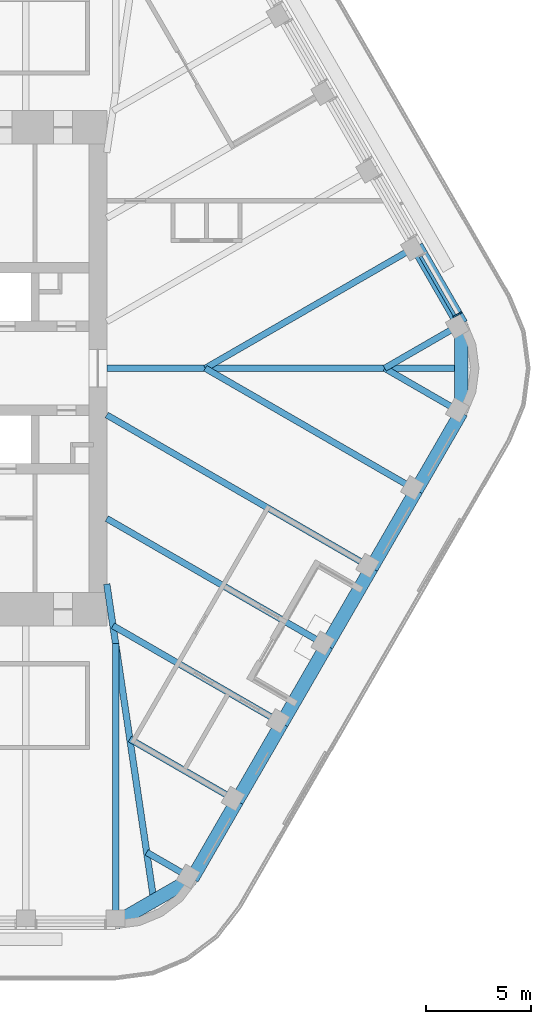
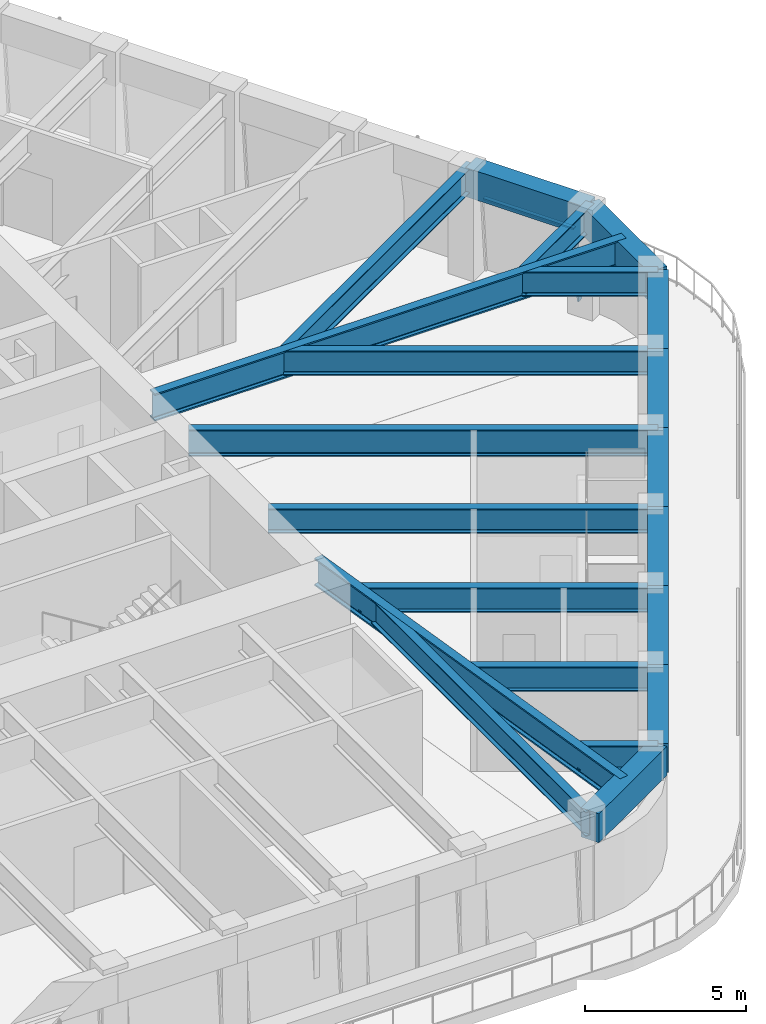
# One storey, part 5 of 19: 21 beams, 2 members, 1 element without a shape of its own.
"""IFC4 building model written with IfcOpenShell, lengths in metres."""

from ifc_helpers import new_model, si_unit, direction, frame, origin, origin_2d, place, context, subcontext, project, spatial, rectangle, i_section, extrude, material, material_profile, profile_set, type_object, element, aggregate, save


model = new_model("IFC4")

# Units and contexts
model_context = context("Model", 3, precision=1e-05, world=origin(), true_north=direction((0.0, 1.0)))
body_context = subcontext(model_context, "Body", "Model", "MODEL_VIEW")
ifc_project = project(units=[si_unit("LENGTHUNIT", "METRE"), si_unit("AREAUNIT", "SQUARE_METRE"), si_unit("VOLUMEUNIT", "CUBIC_METRE"), si_unit("PLANEANGLEUNIT", "RADIAN"), si_unit("MASSUNIT", "GRAM", prefix="KILO")], contexts=[model_context])

# Site, building, storey
site_placement = place(None, origin())
site = spatial("IfcSite", under=ifc_project, at=site_placement, CompositionType="ELEMENT")
building_placement = place(site_placement, origin())
building = spatial("IfcBuilding", under=site, at=building_placement, Name="Tarfa Lantern Tower", CompositionType="ELEMENT")
storey_placement = place(building_placement, frame((0.0, 0.0, 357.699951171875)))
storey = spatial("IfcBuildingStorey", under=building, at=storey_placement, Name="L81", CompositionType="ELEMENT", Elevation=357.699951171875)

# Curtain wall, members
ifc_material_1 = material(Name="Aluminium framed curtain wall", Category="aluminium")
curtain_wall_type = type_object("IfcCurtainWallType", Name="CW4 CANTED GLAZING EXECUTIVE ZONE 2900", PredefinedType="USERDEFINED", material=ifc_material_1)
curtain_wall_placement = place(storey_placement, origin())
curtain_wall = element("IfcCurtainWall", 1, at=curtain_wall_placement, inside=storey, type_object=curtain_wall_type, Name="CW4 NE L81", ObjectType="CURTAIN WALL", PredefinedType="USERDEFINED")
ifc_material_2 = material(Name="Aluminium mullion", Category="aluminium")
ifc_material_profile_1 = material_profile(ifc_material_2, rectangle(XDim=0.06494140625, YDim=0.199951171875, at=origin_2d()), Name="AL MULLION 65x200")
ifc_profile_set_1 = profile_set([ifc_material_profile_1], Name="Aluminium mullion")
member_type_1 = type_object("IfcMemberType", Name="CWM1 MULLION 65x200", PredefinedType="MULLION", material=ifc_profile_set_1)
member_1_placement = place(storey_placement, frame((29.26123046875, 2.617919921875, 0.0), z_axis=(-0.074310195522, -0.042942234884, 0.996310172238), x_axis=(0.500342721131, -0.865827443207, 0.0)))
member_1 = element("IfcMember", 2, at=member_1_placement, type_object=member_type_1, Name="CW4 mullion 1", PredefinedType="MULLION", context=body_context, shape_type="SweptSolid", body=[
    extrude(rectangle(XDim=0.06494140625, YDim=0.199951171875, at=origin_2d()), origin(), (0.0, 0.0, 1.0), 2.910888671875),
])
ifc_material_3 = material(Name="Aluminium transom", Category="aluminium")
ifc_material_profile_2 = material_profile(ifc_material_3, rectangle(XDim=0.14990234375, YDim=0.06494140625, at=origin_2d()), Name="AL TRANSOM 150x65")
ifc_profile_set_2 = profile_set([ifc_material_profile_2], Name="Aluminium transom")
member_type_2 = type_object("IfcMemberType", Name="CWT1 TRANSOM 150x65", PredefinedType="USERDEFINED", material=ifc_profile_set_2)
member_2_placement = place(storey_placement, frame((29.031005859375, 2.5224609375, 2.867431640625), z_axis=(-0.500014901547, 0.866016800201, 0.0), x_axis=(-0.866016800201, -0.500014901547, 0.0)))
member_2 = element("IfcMember", 3, at=member_2_placement, type_object=member_type_2, Name="CW4 transom 1.2", ObjectType="TRANSOM", PredefinedType="USERDEFINED", context=body_context, shape_type="SweptSolid", body=[
    extrude(rectangle(XDim=0.14990234375, YDim=0.06494140625, at=origin_2d()), origin(), (0.0, 0.0, 1.0), 3.251953125),
])
aggregate(curtain_wall, [member_1, member_2])

# Beams
ifc_material_4 = material(Name="Concrete C80/95", Category="concrete")
ifc_material_profile_3 = material_profile(ifc_material_4, rectangle(XDim=0.64990234375, YDim=1.10009765625, at=origin_2d()), Name="RC 650x1100")
ifc_profile_set_3 = profile_set([ifc_material_profile_3], Name="Concrete C80/95")
beam_type_1 = type_object("IfcBeamType", Name="EB4 RC 650x1100", PredefinedType="SPANDREL", material=ifc_profile_set_3)
beam_1_placement = place(storey_placement, frame((29.3466796875, 2.110107421875, 3.449951171875), z_axis=(-0.499984039138, 0.866034618596, 0.0), x_axis=(-0.866034618596, -0.499984039138, 0.0)))
element("IfcBeam", 4, at=beam_1_placement, inside=storey, type_object=beam_type_1, Name="Edge beam NE0", PredefinedType="SPANDREL", context=body_context, shape_type="SweptSolid", body=[
    extrude(rectangle(XDim=0.64990234375, YDim=1.10009765625, at=origin_2d()), origin(), (0.0, 0.0, 1.0), 4.281982421875),
])
beam_2_placement = place(storey_placement, frame((12.845947265625, -26.469970703125, 3.449951171875), z_axis=(0.866048788483, 0.499959494327, 0.0), x_axis=(-0.499959494327, 0.866048788483, 0.0)))
element("IfcBeam", 5, at=beam_2_placement, inside=storey, type_object=beam_type_1, Name="Edge beam S6", PredefinedType="SPANDREL", context=body_context, shape_type="SweptSolid", body=[
    extrude(rectangle(XDim=0.64990234375, YDim=1.10009765625, at=origin_2d()), origin(), (0.0, 0.0, 1.0), 4.219970703125),
])
for number, where, z_axis, x_axis, name in (
    (6, (16.500732421875, -24.360107421875, 3.449951171875), (0.499959351497, 0.866048870937, 0.0), (-0.866048870937, 0.499959351497, 0.0), "Edge beam SE0"),
    (7, (18.6416015625, -20.651611328125, 3.449951171875), (0.500026801138, 0.866009929587, 0.0), (-0.866009929587, 0.500026801138, 0.0), "Edge beam SE1"),
    (8, (20.78271484375, -16.943359375, 3.449951171875), (0.499984039138, 0.866034618596, 0.0), (-0.866034618596, 0.499984039138, 0.0), "Edge beam SE2"),
):
    element("IfcBeam", number, at=place(storey_placement, frame(where, z_axis=z_axis, x_axis=x_axis)), inside=storey, type_object=beam_type_1, Name=name, PredefinedType="SPANDREL", context=body_context, shape_type="SweptSolid", body=[
        extrude(rectangle(XDim=0.64990234375, YDim=1.10009765625, at=origin_2d()), origin(), (0.0, 0.0, 1.0), 4.281982421875),
    ])
beam_3_placement = place(storey_placement, frame((22.923583984375, -13.235107421875, 3.449951171875), z_axis=(0.500002112793, 0.866024183959, 0.0), x_axis=(-0.866024183959, 0.500002112793, 0.0)))
element("IfcBeam", 9, at=beam_3_placement, inside=storey, type_object=beam_type_1, Name="Edge beam SE3", PredefinedType="SPANDREL", context=body_context, shape_type="SweptSolid", body=[
    extrude(rectangle(XDim=0.64990234375, YDim=1.10009765625, at=origin_2d()), origin(), (0.0, 0.0, 1.0), 4.2822265625),
])
for number, where, z_axis, x_axis, name in (
    (10, (25.064697265625, -9.526611328125, 3.449951171875), (0.500026801138, 0.866009929587, 0.0), (-0.866009929587, 0.500026801138, 0.0), "Edge beam SE4"),
    (11, (27.205810546875, -5.818359375, 3.449951171875), (0.499984039138, 0.866034618596, 0.0), (-0.866034618596, 0.499984039138, 0.0), "Edge beam SE5"),
):
    element("IfcBeam", number, at=place(storey_placement, frame(where, z_axis=z_axis, x_axis=x_axis)), inside=storey, type_object=beam_type_1, Name=name, PredefinedType="SPANDREL", context=body_context, shape_type="SweptSolid", body=[
        extrude(rectangle(XDim=0.64990234375, YDim=1.10009765625, at=origin_2d()), origin(), (0.0, 0.0, 1.0), 4.281982421875),
    ])
beam_4_placement = place(storey_placement, frame((29.3466796875, -2.110107421875, 3.449951171875), z_axis=(0.0, 1.0, 0.0), x_axis=(-1.0, 0.0, 0.0)))
element("IfcBeam", 12, at=beam_4_placement, inside=storey, type_object=beam_type_1, Name="Edge beam SE6", PredefinedType="SPANDREL", context=body_context, shape_type="SweptSolid", body=[
    extrude(rectangle(XDim=0.64990234375, YDim=1.10009765625, at=origin_2d()), origin(), (0.0, 0.0, 1.0), 4.22021484375),
])
ifc_material_5 = material(Name="Steel S460M", Category="steel")
ifc_material_profile_4 = material_profile(ifc_material_5, i_section(OverallWidth=0.302001953125, OverallDepth=1.008056640625, WebThickness=0.02099609375, FlangeThickness=0.0400390625, FilletRadius=0.030029296875, at=origin_2d()), Name="UB1016x305x349")
ifc_profile_set_4 = profile_set([ifc_material_profile_4], Name="Steel S460M")
beam_type_2 = type_object("IfcBeamType", Name="UB1016x305x349", PredefinedType="BEAM", material=ifc_profile_set_4)
beam_5_placement = place(storey_placement, frame((25.064697265625, -9.526611328125, 3.49609375), z_axis=(-0.866029591389, 0.499992746786, 0.0), x_axis=(-0.499992746786, -0.866029591389, 0.0)))
element("IfcBeam", 13, at=beam_5_placement, inside=storey, type_object=beam_type_2, Name="Floor beam SE4", PredefinedType="BEAM", context=body_context, shape_type="SweptSolid", body=[
    extrude(i_section(OverallWidth=0.302001953125, OverallDepth=1.008056640625, WebThickness=0.02099609375, FlangeThickness=0.0400390625, FilletRadius=0.030029296875, at=origin_2d()), origin(), (0.0, 0.0, 1.0), 14.594970703125),
])
ifc_material_profile_5 = material_profile(ifc_material_5, i_section(OverallWidth=0.30859375, OverallDepth=1.036376953125, WebThickness=0.030029296875, FlangeThickness=0.05419921875, FilletRadius=0.030029296875, at=origin_2d()), Name="UB1016x305x487")
ifc_profile_set_5 = profile_set([ifc_material_profile_5], Name="Steel S460M")
beam_type_3 = type_object("IfcBeamType", Name="UB1016x305x487", PredefinedType="BEAM", material=ifc_profile_set_5)
beam_6_placement = place(storey_placement, frame((12.425048828125, 0.0, 3.48193359375), z_axis=(1.0, 0.0, 0.0), x_axis=(0.0, 1.0, 0.0)))
element("IfcBeam", 14, at=beam_6_placement, inside=storey, type_object=beam_type_3, Name="Hip girder E", PredefinedType="BEAM", context=body_context, shape_type="SweptSolid", body=[
    extrude(i_section(OverallWidth=0.30859375, OverallDepth=1.036376953125, WebThickness=0.030029296875, FlangeThickness=0.05419921875, FilletRadius=0.030029296875, at=origin_2d()), origin(), (0.0, 0.0, 1.0), 16.921630859375),
])
beam_7_placement = place(storey_placement, frame((12.425048828125, -10.300048828125, 3.48193359375), z_axis=(0.147127069073, -0.989117599452, 0.0), x_axis=(0.989117599452, 0.147127069073, 0.0)))
element("IfcBeam", 15, at=beam_7_placement, inside=storey, type_object=beam_type_3, Name="Hip girder SE", PredefinedType="BEAM", context=body_context, shape_type="SweptSolid", body=[
    extrude(i_section(OverallWidth=0.30859375, OverallDepth=1.036376953125, WebThickness=0.030029296875, FlangeThickness=0.05419921875, FilletRadius=0.030029296875, at=origin_2d()), origin(), (0.0, 0.0, 1.0), 15.28125),
])
ifc_material_profile_6 = material_profile(ifc_material_5, i_section(OverallWidth=0.305419921875, OverallDepth=0.91845703125, WebThickness=0.017333984375, FlangeThickness=0.02783203125, FilletRadius=0.01904296875, at=origin_2d()), Name="UB914x305x253")
ifc_profile_set_6 = profile_set([ifc_material_profile_6], Name="Steel S460M")
beam_type_4 = type_object("IfcBeamType", Name="UB914x305x253", PredefinedType="BEAM", material=ifc_profile_set_6)
beam_8_placement = place(storey_placement, frame((29.3466796875, 2.110107421875, 3.540771484375), z_axis=(-0.866009274789, -0.500027935199, 0.0), x_axis=(0.500027935199, -0.866009274789, 0.0)))
element("IfcBeam", 16, at=beam_8_placement, inside=storey, type_object=beam_type_4, Name="Floor beam NE0", PredefinedType="BEAM", context=body_context, shape_type="SweptSolid", body=[
    extrude(i_section(OverallWidth=0.305419921875, OverallDepth=0.91845703125, WebThickness=0.017333984375, FlangeThickness=0.02783203125, FilletRadius=0.01904296875, at=origin_2d()), origin(), (0.0, 0.0, 1.0), 4.219970703125),
])
beam_9_placement = place(storey_placement, frame((27.205810546875, 5.818359375, 3.540771484375), z_axis=(-0.866024171998, -0.500002133511, 0.0), x_axis=(0.500002133511, -0.866024171998, 0.0)))
element("IfcBeam", 17, at=beam_9_placement, inside=storey, type_object=beam_type_4, Name="Floor beam NE1", PredefinedType="BEAM", context=body_context, shape_type="SweptSolid", body=[
    extrude(i_section(OverallWidth=0.305419921875, OverallDepth=0.91845703125, WebThickness=0.017333984375, FlangeThickness=0.02783203125, FilletRadius=0.01904296875, at=origin_2d()), origin(), (0.0, 0.0, 1.0), 11.63671875),
])
beam_10_placement = place(storey_placement, frame((12.845947265625, -26.469970703125, 3.540771484375), z_axis=(0.0, 1.0, 0.0), x_axis=(-1.0, 0.0, 0.0)))
element("IfcBeam", 18, at=beam_10_placement, inside=storey, type_object=beam_type_4, Name="Floor beam S6", PredefinedType="BEAM", context=body_context, shape_type="SweptSolid", body=[
    extrude(i_section(OverallWidth=0.305419921875, OverallDepth=0.91845703125, WebThickness=0.017333984375, FlangeThickness=0.02783203125, FilletRadius=0.01904296875, at=origin_2d()), origin(), (0.0, 0.0, 1.0), 13.33935546875),
])
beam_11_placement = place(storey_placement, frame((16.500732421875, -24.360107421875, 3.540771484375), z_axis=(-0.865992557167, 0.500056887695, 0.0), x_axis=(-0.500056887695, -0.865992557167, 0.0)))
element("IfcBeam", 19, at=beam_11_placement, inside=storey, type_object=beam_type_4, Name="Floor beam SE0", PredefinedType="BEAM", context=body_context, shape_type="SweptSolid", body=[
    extrude(i_section(OverallWidth=0.305419921875, OverallDepth=0.91845703125, WebThickness=0.017333984375, FlangeThickness=0.02783203125, FilletRadius=0.01904296875, at=origin_2d()), origin(), (0.0, 0.0, 1.0), 2.506591796875),
])
beam_12_placement = place(storey_placement, frame((18.6416015625, -20.651611328125, 3.540771484375), z_axis=(-0.866024549157, 0.500001480256, 0.0), x_axis=(-0.500001480256, -0.866024549157, 0.0)))
element("IfcBeam", 20, at=beam_12_placement, inside=storey, type_object=beam_type_4, Name="Floor beam SE1", PredefinedType="BEAM", context=body_context, shape_type="SweptSolid", body=[
    extrude(i_section(OverallWidth=0.305419921875, OverallDepth=0.91845703125, WebThickness=0.017333984375, FlangeThickness=0.02783203125, FilletRadius=0.01904296875, at=origin_2d()), origin(), (0.0, 0.0, 1.0), 5.90771484375),
])
beam_13_placement = place(storey_placement, frame((20.78271484375, -16.943359375, 3.540771484375), z_axis=(-0.866021806508, 0.500006230613, 0.0), x_axis=(-0.500006230613, -0.866021806508, 0.0)))
element("IfcBeam", 21, at=beam_13_placement, inside=storey, type_object=beam_type_4, Name="Floor beam SE2", PredefinedType="BEAM", context=body_context, shape_type="SweptSolid", body=[
    extrude(i_section(OverallWidth=0.305419921875, OverallDepth=0.91845703125, WebThickness=0.017333984375, FlangeThickness=0.02783203125, FilletRadius=0.01904296875, at=origin_2d()), origin(), (0.0, 0.0, 1.0), 9.30908203125),
])
beam_14_placement = place(storey_placement, frame((22.923583984375, -13.235107421875, 3.540771484375), z_axis=(-0.86601856927, 0.500011837539, 0.0), x_axis=(-0.500011837539, -0.86601856927, 0.0)))
element("IfcBeam", 22, at=beam_14_placement, inside=storey, type_object=beam_type_4, Name="Floor beam SE3", PredefinedType="BEAM", context=body_context, shape_type="SweptSolid", body=[
    extrude(i_section(OverallWidth=0.305419921875, OverallDepth=0.91845703125, WebThickness=0.017333984375, FlangeThickness=0.02783203125, FilletRadius=0.01904296875, at=origin_2d()), origin(), (0.0, 0.0, 1.0), 12.122802734375),
])
beam_15_placement = place(storey_placement, frame((27.205810546875, -5.818359375, 3.540771484375), z_axis=(-0.866024171998, 0.500002133511, 0.0), x_axis=(-0.500002133511, -0.866024171998, 0.0)))
element("IfcBeam", 23, at=beam_15_placement, inside=storey, type_object=beam_type_4, Name="Floor beam SE5", PredefinedType="BEAM", context=body_context, shape_type="SweptSolid", body=[
    extrude(i_section(OverallWidth=0.305419921875, OverallDepth=0.91845703125, WebThickness=0.017333984375, FlangeThickness=0.02783203125, FilletRadius=0.01904296875, at=origin_2d()), origin(), (0.0, 0.0, 1.0), 11.63671875),
])
beam_16_placement = place(storey_placement, frame((29.3466796875, -2.110107421875, 3.540771484375), z_axis=(-0.866009274789, 0.500027935199, 0.0), x_axis=(-0.500027935199, -0.866009274789, 0.0)))
element("IfcBeam", 24, at=beam_16_placement, inside=storey, type_object=beam_type_4, Name="Floor beam SE6", PredefinedType="BEAM", context=body_context, shape_type="SweptSolid", body=[
    extrude(i_section(OverallWidth=0.305419921875, OverallDepth=0.91845703125, WebThickness=0.017333984375, FlangeThickness=0.02783203125, FilletRadius=0.01904296875, at=origin_2d()), origin(), (0.0, 0.0, 1.0), 4.219970703125),
])

save(model, "model.ifc")
